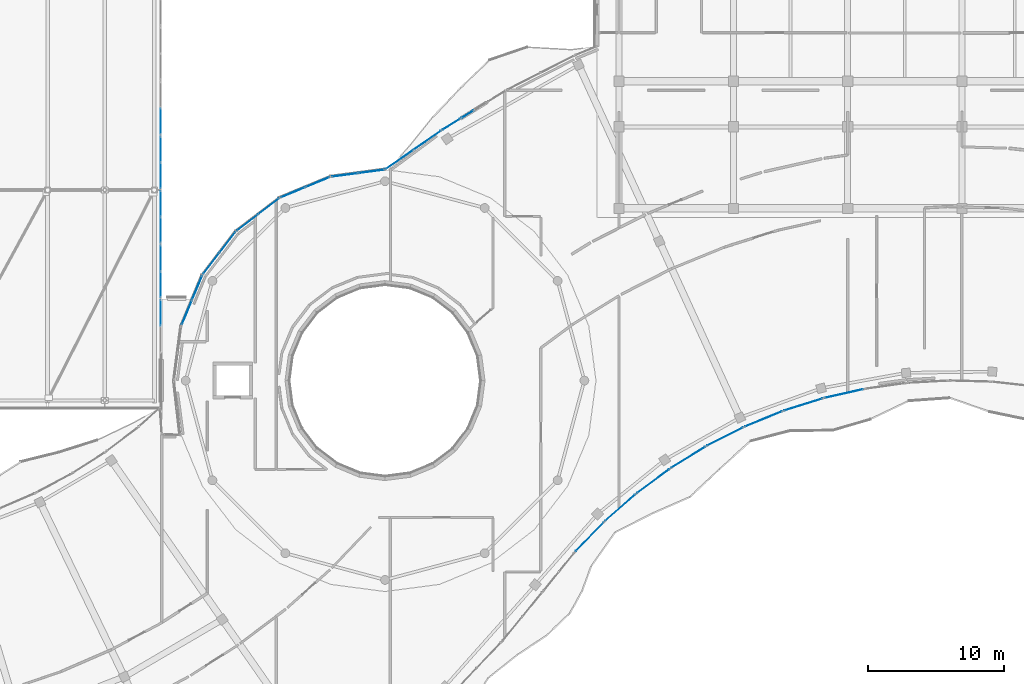
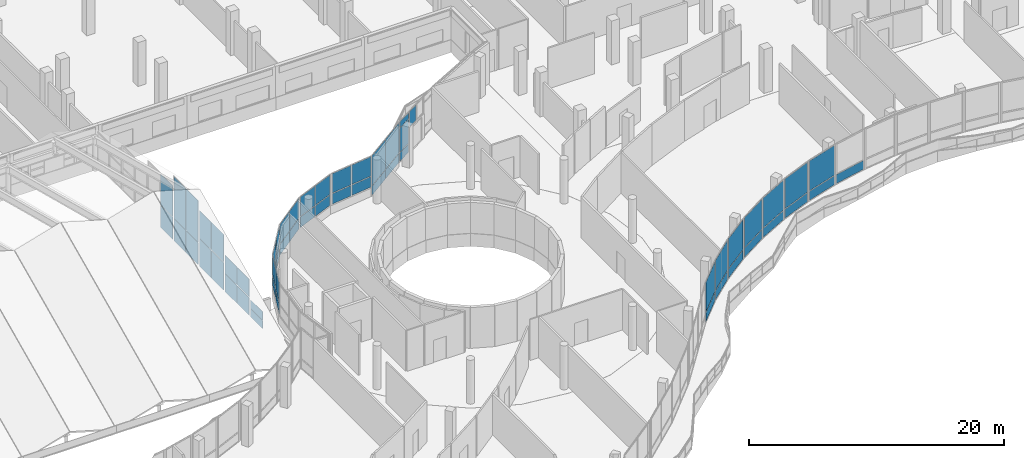
# One storey, part 149 of 184: 59 plates, 21 elements without a shape of their own.
"""IFC4 building model written with IfcOpenShell, lengths in metres."""

from ifc_helpers import new_model, si_unit, direction, frame, origin, origin_2d, place, context, subcontext, project, spatial, rectangle, extrude, material, layer, layer_set, type_object, element, aggregate, save


model = new_model("IFC4")

# Units and contexts
model_context = context("Model", 3, precision=1e-05, world=origin(), true_north=direction((0.0, 1.0)))
body_context = subcontext(model_context, "Body", "Model", "MODEL_VIEW")
ifc_project = project(units=[si_unit("LENGTHUNIT", "METRE"), si_unit("AREAUNIT", "SQUARE_METRE"), si_unit("VOLUMEUNIT", "CUBIC_METRE"), si_unit("PLANEANGLEUNIT", "RADIAN"), si_unit("MASSUNIT", "GRAM", prefix="KILO")], contexts=[model_context])

# Site, building, storey
site_placement = place(None, origin())
site = spatial("IfcSite", under=ifc_project, at=site_placement, CompositionType="ELEMENT")
building_placement = place(site_placement, origin())
building = spatial("IfcBuilding", under=site, at=building_placement, Name="Selatvlak General Hospital", CompositionType="ELEMENT")
storey_placement = place(building_placement, frame((0.0, 0.0, 15.0)))
storey = spatial("IfcBuildingStorey", under=building, at=storey_placement, Name="L03", CompositionType="ELEMENT", Elevation=15.0)

# Curtain wall, plate
ifc_material = material(Name="Solar-control Low-E double glazing", Category="glass")
curtain_wall_type_1 = type_object("IfcCurtainWallType", Name="CW-CW-01", PredefinedType="USERDEFINED", material=ifc_material)
curtain_wall_1_placement = place(storey_placement, origin())
curtain_wall_1 = element("IfcCurtainWall", 1, at=curtain_wall_1_placement, inside=storey, type_object=curtain_wall_type_1, Name="Glazed facade curtain wall CW-L03-0407", ObjectType="UNITISED CURTAIN WALL", PredefinedType="USERDEFINED")
ifc_layer = layer(ifc_material, 0.028076171875, Name="Solar-control Low-E double glazing", Category="glass")
ifc_layer_set = layer_set([ifc_layer], Name="Solar-control Low-E double glazing")
plate_type = type_object("IfcPlateType", Name="CWP-01", PredefinedType="CURTAIN_PANEL", material=ifc_layer_set)
plate_1_placement = place(storey_placement, frame((131.739990234375, 53.0458984375, 0.06494140625), z_axis=(0.0, 0.0, 1.0), x_axis=(-0.975577961684, -0.219653455874, 0.0)))
plate_1 = element("IfcPlate", 2, at=plate_1_placement, type_object=plate_type, Name="CW-01 panel 1.1", PredefinedType="CURTAIN_PANEL", context=body_context, shape_type="SweptSolid", body=[
    extrude(rectangle(XDim=2.902099609375, YDim=0.028076171875, at=origin_2d()), origin(), (0.0, 0.0, 1.0), 0.8525390625),
])
aggregate(curtain_wall_1, [plate_1])

# Curtain wall, plates
curtain_wall_type_2 = type_object("IfcCurtainWallType", Name="CW-CW-02", PredefinedType="USERDEFINED", material=ifc_material)
curtain_wall_2_placement = place(storey_placement, origin())
curtain_wall_2 = element("IfcCurtainWall", 3, at=curtain_wall_2_placement, inside=storey, type_object=curtain_wall_type_2, Name="Glazed facade curtain wall CW-L03-0408", ObjectType="UNITISED CURTAIN WALL", PredefinedType="USERDEFINED")
plate_2_placement = place(storey_placement, frame((128.738525390625, 52.236083984375, 0.06494140625), z_axis=(0.0, 0.0, 1.0), x_axis=(-0.953861500511, -0.300246961422, 0.0)))
plate_2 = element("IfcPlate", 4, at=plate_2_placement, type_object=plate_type, Name="CW-02 panel 1.1", PredefinedType="CURTAIN_PANEL", context=body_context, shape_type="SweptSolid", body=[
    extrude(rectangle(XDim=2.90087890625, YDim=0.028076171875, at=origin_2d()), origin(), (0.0, 0.0, 1.0), 0.8525390625),
])
plate_3_placement = place(storey_placement, frame((128.738525390625, 52.236083984375, 0.982421875), z_axis=(0.0, 0.0, 1.0), x_axis=(-0.953861500511, -0.300246961422, 0.0)))
plate_3 = element("IfcPlate", 5, at=plate_3_placement, type_object=plate_type, Name="CW-02 panel 1.2", PredefinedType="CURTAIN_PANEL", context=body_context, shape_type="SweptSolid", body=[
    extrude(rectangle(XDim=2.90087890625, YDim=0.028076171875, at=origin_2d()), origin(), (0.0, 0.0, 1.0), 2.847412109375),
])
aggregate(curtain_wall_2, [plate_2, plate_3])

curtain_wall_3_placement = place(storey_placement, origin())
curtain_wall_3 = element("IfcCurtainWall", 6, at=curtain_wall_3_placement, inside=storey, type_object=curtain_wall_type_1, Name="Glazed facade curtain wall CW-L03-0409", ObjectType="UNITISED CURTAIN WALL", PredefinedType="USERDEFINED")
plate_4_placement = place(storey_placement, frame((125.8154296875, 51.178955078125, 0.06494140625), z_axis=(0.0, 0.0, 1.0), x_axis=(-0.925814669594, -0.377977773903, 0.0)))
plate_4 = element("IfcPlate", 7, at=plate_4_placement, type_object=plate_type, Name="CW-01 panel 1.1", PredefinedType="CURTAIN_PANEL", context=body_context, shape_type="SweptSolid", body=[
    extrude(rectangle(XDim=2.90185546875, YDim=0.028076171875, at=origin_2d()), origin(), (0.0, 0.0, 1.0), 0.8525390625),
])
plate_5_placement = place(storey_placement, frame((125.8154296875, 51.178955078125, 0.982421875), z_axis=(0.0, 0.0, 1.0), x_axis=(-0.925814669594, -0.377977773903, 0.0)))
plate_5 = element("IfcPlate", 8, at=plate_5_placement, type_object=plate_type, Name="CW-01 panel 1.2", PredefinedType="CURTAIN_PANEL", context=body_context, shape_type="SweptSolid", body=[
    extrude(rectangle(XDim=2.90185546875, YDim=0.028076171875, at=origin_2d()), origin(), (0.0, 0.0, 1.0), 2.847412109375),
])
aggregate(curtain_wall_3, [plate_4, plate_5])

curtain_wall_4_placement = place(storey_placement, origin())
curtain_wall_4 = element("IfcCurtainWall", 9, at=curtain_wall_4_placement, inside=storey, type_object=curtain_wall_type_2, Name="Glazed facade curtain wall CW-L03-0410", ObjectType="UNITISED CURTAIN WALL", PredefinedType="USERDEFINED")
plate_6_placement = place(storey_placement, frame((122.987548828125, 49.882568359375, 0.06494140625), z_axis=(0.0, 0.0, 1.0), x_axis=(-0.89144154077, -0.453135718509, 0.0)))
plate_6 = element("IfcPlate", 10, at=plate_6_placement, type_object=plate_type, Name="CW-02 panel 1.1", PredefinedType="CURTAIN_PANEL", context=body_context, shape_type="SweptSolid", body=[
    extrude(rectangle(XDim=2.904296875, YDim=0.028076171875, at=origin_2d()), origin(), (0.0, 0.0, 1.0), 0.8525390625),
])
plate_7_placement = place(storey_placement, frame((122.987548828125, 49.882568359375, 0.982421875), z_axis=(0.0, 0.0, 1.0), x_axis=(-0.89144154077, -0.453135718509, 0.0)))
plate_7 = element("IfcPlate", 11, at=plate_7_placement, type_object=plate_type, Name="CW-02 panel 1.2", PredefinedType="CURTAIN_PANEL", context=body_context, shape_type="SweptSolid", body=[
    extrude(rectangle(XDim=2.904296875, YDim=0.028076171875, at=origin_2d()), origin(), (0.0, 0.0, 1.0), 2.847412109375),
])
aggregate(curtain_wall_4, [plate_6, plate_7])

curtain_wall_5_placement = place(storey_placement, origin())
curtain_wall_5 = element("IfcCurtainWall", 12, at=curtain_wall_5_placement, inside=storey, type_object=curtain_wall_type_1, Name="Glazed facade curtain wall CW-L03-0411", ObjectType="UNITISED CURTAIN WALL", PredefinedType="USERDEFINED")
plate_8_placement = place(storey_placement, frame((120.277587890625, 48.35693359375, 0.06494140625), z_axis=(0.0, 0.0, 1.0), x_axis=(-0.850454986641, -0.526047826435, 0.0)))
plate_8 = element("IfcPlate", 13, at=plate_8_placement, type_object=plate_type, Name="CW-01 panel 1.1", PredefinedType="CURTAIN_PANEL", context=body_context, shape_type="SweptSolid", body=[
    extrude(rectangle(XDim=2.900146484375, YDim=0.028076171875, at=origin_2d()), origin(), (0.0, 0.0, 1.0), 0.8525390625),
])
plate_9_placement = place(storey_placement, frame((120.277587890625, 48.35693359375, 0.982421875), z_axis=(0.0, 0.0, 1.0), x_axis=(-0.850454986641, -0.526047826435, 0.0)))
plate_9 = element("IfcPlate", 14, at=plate_9_placement, type_object=plate_type, Name="CW-01 panel 1.2", PredefinedType="CURTAIN_PANEL", context=body_context, shape_type="SweptSolid", body=[
    extrude(rectangle(XDim=2.900146484375, YDim=0.028076171875, at=origin_2d()), origin(), (0.0, 0.0, 1.0), 2.847412109375),
])
aggregate(curtain_wall_5, [plate_8, plate_9])

curtain_wall_6_placement = place(storey_placement, origin())
curtain_wall_6 = element("IfcCurtainWall", 15, at=curtain_wall_6_placement, inside=storey, type_object=curtain_wall_type_2, Name="Glazed facade curtain wall CW-L03-0412", ObjectType="UNITISED CURTAIN WALL", PredefinedType="USERDEFINED")
plate_10_placement = place(storey_placement, frame((117.705078125, 46.611572265625, 0.06494140625), z_axis=(0.0, 0.0, 1.0), x_axis=(-0.804018477045, -0.594604312607, 0.0)))
plate_10 = element("IfcPlate", 16, at=plate_10_placement, type_object=plate_type, Name="CW-02 panel 1.1", PredefinedType="CURTAIN_PANEL", context=body_context, shape_type="SweptSolid", body=[
    extrude(rectangle(XDim=2.90234375, YDim=0.028076171875, at=origin_2d()), origin(), (0.0, 0.0, 1.0), 0.8525390625),
])
plate_11_placement = place(storey_placement, frame((117.705078125, 46.611572265625, 0.982421875), z_axis=(0.0, 0.0, 1.0), x_axis=(-0.804018477045, -0.594604312607, 0.0)))
plate_11 = element("IfcPlate", 17, at=plate_11_placement, type_object=plate_type, Name="CW-02 panel 1.2", PredefinedType="CURTAIN_PANEL", context=body_context, shape_type="SweptSolid", body=[
    extrude(rectangle(XDim=2.90234375, YDim=0.028076171875, at=origin_2d()), origin(), (0.0, 0.0, 1.0), 2.847412109375),
])
aggregate(curtain_wall_6, [plate_10, plate_11])

curtain_wall_7_placement = place(storey_placement, origin())
curtain_wall_7 = element("IfcCurtainWall", 18, at=curtain_wall_7_placement, inside=storey, type_object=curtain_wall_type_1, Name="Glazed facade curtain wall CW-L03-0413", ObjectType="UNITISED CURTAIN WALL", PredefinedType="USERDEFINED")
plate_12_placement = place(storey_placement, frame((115.284912109375, 44.659423828125, 0.06494140625), z_axis=(0.0, 0.0, 1.0), x_axis=(-0.752249587647, -0.658878257256, 0.0)))
plate_12 = element("IfcPlate", 19, at=plate_12_placement, type_object=plate_type, Name="CW-01 panel 1.1", PredefinedType="CURTAIN_PANEL", context=body_context, shape_type="SweptSolid", body=[
    extrude(rectangle(XDim=2.90087890625, YDim=0.028076171875, at=origin_2d()), origin(), (0.0, 0.0, 1.0), 0.8525390625),
])
plate_13_placement = place(storey_placement, frame((115.284912109375, 44.659423828125, 0.982421875), z_axis=(0.0, 0.0, 1.0), x_axis=(-0.752249587647, -0.658878257256, 0.0)))
plate_13 = element("IfcPlate", 20, at=plate_13_placement, type_object=plate_type, Name="CW-01 panel 1.2", PredefinedType="CURTAIN_PANEL", context=body_context, shape_type="SweptSolid", body=[
    extrude(rectangle(XDim=2.90087890625, YDim=0.028076171875, at=origin_2d()), origin(), (0.0, 0.0, 1.0), 2.847412109375),
])
aggregate(curtain_wall_7, [plate_12, plate_13])

curtain_wall_8_placement = place(storey_placement, origin())
curtain_wall_8 = element("IfcCurtainWall", 21, at=curtain_wall_8_placement, inside=storey, type_object=curtain_wall_type_2, Name="Glazed facade curtain wall CW-L03-0414", ObjectType="UNITISED CURTAIN WALL", PredefinedType="USERDEFINED")
plate_14_placement = place(storey_placement, frame((113.034912109375, 42.512939453125, 0.06494140625), z_axis=(0.0, 0.0, 1.0), x_axis=(-0.694806241805, -0.719196973261, 0.0)))
plate_14 = element("IfcPlate", 22, at=plate_14_placement, type_object=plate_type, Name="CW-02 panel 1.1", PredefinedType="CURTAIN_PANEL", context=body_context, shape_type="SweptSolid", body=[
    extrude(rectangle(XDim=2.904052734375, YDim=0.028076171875, at=origin_2d()), origin(), (0.0, 0.0, 1.0), 0.8525390625),
])
plate_15_placement = place(storey_placement, frame((113.034912109375, 42.512939453125, 0.982421875), z_axis=(0.0, 0.0, 1.0), x_axis=(-0.694806241805, -0.719196973261, 0.0)))
plate_15 = element("IfcPlate", 23, at=plate_15_placement, type_object=plate_type, Name="CW-02 panel 1.2", PredefinedType="CURTAIN_PANEL", context=body_context, shape_type="SweptSolid", body=[
    extrude(rectangle(XDim=2.904052734375, YDim=0.028076171875, at=origin_2d()), origin(), (0.0, 0.0, 1.0), 2.847412109375),
])
aggregate(curtain_wall_8, [plate_14, plate_15])

curtain_wall_type_3 = type_object("IfcCurtainWallType", Name="CW-CW-05", PredefinedType="USERDEFINED", material=ifc_material)
curtain_wall_9_placement = place(storey_placement, origin())
curtain_wall_9 = element("IfcCurtainWall", 24, at=curtain_wall_9_placement, inside=storey, type_object=curtain_wall_type_3, Name="Glazed facade curtain wall CW-L03-0464", ObjectType="STICK GLAZING WALL", PredefinedType="USERDEFINED")
plate_16_placement = place(storey_placement, frame((83.4384765625, 59.001953125, 0.9150390625), z_axis=(0.0, 0.0, 1.0), x_axis=(0.382537390187, 0.92394001164, 0.0)))
plate_16 = element("IfcPlate", 25, at=plate_16_placement, type_object=plate_type, Name="CW-05 panel 1.1", PredefinedType="CURTAIN_PANEL", context=body_context, shape_type="SweptSolid", body=[
    extrude(rectangle(XDim=1.88525390625, YDim=0.028076171875, at=origin_2d()), origin(), (0.0, 0.0, 1.0), 0.99951171875),
])
plate_17_placement = place(storey_placement, frame((83.4384765625, 59.001953125, 1.9794921875), z_axis=(0.0, 0.0, 1.0), x_axis=(0.382537390187, 0.92394001164, 0.0)))
plate_17 = element("IfcPlate", 26, at=plate_17_placement, type_object=plate_type, Name="CW-05 panel 1.2", PredefinedType="CURTAIN_PANEL", context=body_context, shape_type="SweptSolid", body=[
    extrude(rectangle(XDim=1.88525390625, YDim=0.028076171875, at=origin_2d()), origin(), (0.0, 0.0, 1.0), 1.8505859375),
])
plate_18_placement = place(storey_placement, frame((84.1845703125, 60.803955078125, 0.9150390625), z_axis=(0.0, 0.0, 1.0), x_axis=(0.382537390187, 0.92394001164, 0.0)))
plate_18 = element("IfcPlate", 27, at=plate_18_placement, type_object=plate_type, Name="CW-05 panel 2.1", PredefinedType="CURTAIN_PANEL", context=body_context, shape_type="SweptSolid", body=[
    extrude(rectangle(XDim=1.88525390625, YDim=0.028076171875, at=origin_2d()), origin(), (0.0, 0.0, 1.0), 0.99951171875),
])
plate_19_placement = place(storey_placement, frame((84.1845703125, 60.803955078125, 1.9794921875), z_axis=(0.0, 0.0, 1.0), x_axis=(0.382537390187, 0.92394001164, 0.0)))
plate_19 = element("IfcPlate", 28, at=plate_19_placement, type_object=plate_type, Name="CW-05 panel 2.2", PredefinedType="CURTAIN_PANEL", context=body_context, shape_type="SweptSolid", body=[
    extrude(rectangle(XDim=1.88525390625, YDim=0.028076171875, at=origin_2d()), origin(), (0.0, 0.0, 1.0), 1.8505859375),
])
aggregate(curtain_wall_9, [plate_16, plate_17, plate_18, plate_19])

curtain_wall_type_4 = type_object("IfcCurtainWallType", Name="CW-CW-04", PredefinedType="USERDEFINED", material=ifc_material)
curtain_wall_10_placement = place(storey_placement, origin())
curtain_wall_10 = element("IfcCurtainWall", 29, at=curtain_wall_10_placement, inside=storey, type_object=curtain_wall_type_4, Name="Glazed facade curtain wall CW-L03-0465", ObjectType="STICK GLAZING WALL", PredefinedType="USERDEFINED")
plate_20_placement = place(storey_placement, frame((85.228759765625, 62.600341796875, 0.9150390625), z_axis=(0.0, 0.0, 1.0), x_axis=(0.608918417743, 0.793232853917, 0.0)))
plate_20 = element("IfcPlate", 30, at=plate_20_placement, type_object=plate_type, Name="CW-04 panel 1.1", PredefinedType="CURTAIN_PANEL", context=body_context, shape_type="SweptSolid", body=[
    extrude(rectangle(XDim=1.885498046875, YDim=0.028076171875, at=origin_2d()), origin(), (0.0, 0.0, 1.0), 0.99951171875),
])
plate_21_placement = place(storey_placement, frame((85.228759765625, 62.600341796875, 1.9794921875), z_axis=(0.0, 0.0, 1.0), x_axis=(0.608918417743, 0.793232853917, 0.0)))
plate_21 = element("IfcPlate", 31, at=plate_21_placement, type_object=plate_type, Name="CW-04 panel 1.2", PredefinedType="CURTAIN_PANEL", context=body_context, shape_type="SweptSolid", body=[
    extrude(rectangle(XDim=1.885498046875, YDim=0.028076171875, at=origin_2d()), origin(), (0.0, 0.0, 1.0), 1.8505859375),
])
plate_22_placement = place(storey_placement, frame((86.416259765625, 64.147705078125, 0.9150390625), z_axis=(0.0, 0.0, 1.0), x_axis=(0.608918417743, 0.793232853917, 0.0)))
plate_22 = element("IfcPlate", 32, at=plate_22_placement, type_object=plate_type, Name="CW-04 panel 2.1", PredefinedType="CURTAIN_PANEL", context=body_context, shape_type="SweptSolid", body=[
    extrude(rectangle(XDim=1.885498046875, YDim=0.028076171875, at=origin_2d()), origin(), (0.0, 0.0, 1.0), 0.99951171875),
])
plate_23_placement = place(storey_placement, frame((86.416259765625, 64.147705078125, 1.9794921875), z_axis=(0.0, 0.0, 1.0), x_axis=(0.608918417743, 0.793232853917, 0.0)))
plate_23 = element("IfcPlate", 33, at=plate_23_placement, type_object=plate_type, Name="CW-04 panel 2.2", PredefinedType="CURTAIN_PANEL", context=body_context, shape_type="SweptSolid", body=[
    extrude(rectangle(XDim=1.885498046875, YDim=0.028076171875, at=origin_2d()), origin(), (0.0, 0.0, 1.0), 1.8505859375),
])
aggregate(curtain_wall_10, [plate_20, plate_21, plate_22, plate_23])

curtain_wall_11_placement = place(storey_placement, origin())
curtain_wall_11 = element("IfcCurtainWall", 34, at=curtain_wall_11_placement, inside=storey, type_object=curtain_wall_type_3, Name="Glazed facade curtain wall CW-L03-0466", ObjectType="STICK GLAZING WALL", PredefinedType="USERDEFINED")
plate_24_placement = place(storey_placement, frame((87.890380859375, 65.611572265625, 0.9150390625), z_axis=(0.0, 0.0, 1.0), x_axis=(0.793232853917, 0.608918417743, 0.0)))
plate_24 = element("IfcPlate", 35, at=plate_24_placement, type_object=plate_type, Name="CW-05 panel 1.1", PredefinedType="CURTAIN_PANEL", context=body_context, shape_type="SweptSolid", body=[
    extrude(rectangle(XDim=1.885498046875, YDim=0.028076171875, at=origin_2d()), origin(), (0.0, 0.0, 1.0), 0.99951171875),
])
plate_25_placement = place(storey_placement, frame((87.890380859375, 65.611572265625, 1.9794921875), z_axis=(0.0, 0.0, 1.0), x_axis=(0.793232853917, 0.608918417743, 0.0)))
plate_25 = element("IfcPlate", 36, at=plate_25_placement, type_object=plate_type, Name="CW-05 panel 1.2", PredefinedType="CURTAIN_PANEL", context=body_context, shape_type="SweptSolid", body=[
    extrude(rectangle(XDim=1.885498046875, YDim=0.028076171875, at=origin_2d()), origin(), (0.0, 0.0, 1.0), 1.8505859375),
])
plate_26_placement = place(storey_placement, frame((89.4375, 66.79931640625, 0.9150390625), z_axis=(0.0, 0.0, 1.0), x_axis=(0.793232853917, 0.608918417743, 0.0)))
plate_26 = element("IfcPlate", 37, at=plate_26_placement, type_object=plate_type, Name="CW-05 panel 2.1", PredefinedType="CURTAIN_PANEL", context=body_context, shape_type="SweptSolid", body=[
    extrude(rectangle(XDim=1.885498046875, YDim=0.028076171875, at=origin_2d()), origin(), (0.0, 0.0, 1.0), 0.99951171875),
])
plate_27_placement = place(storey_placement, frame((89.4375, 66.79931640625, 1.9794921875), z_axis=(0.0, 0.0, 1.0), x_axis=(0.793232853917, 0.608918417743, 0.0)))
plate_27 = element("IfcPlate", 38, at=plate_27_placement, type_object=plate_type, Name="CW-05 panel 2.2", PredefinedType="CURTAIN_PANEL", context=body_context, shape_type="SweptSolid", body=[
    extrude(rectangle(XDim=1.885498046875, YDim=0.028076171875, at=origin_2d()), origin(), (0.0, 0.0, 1.0), 1.8505859375),
])
aggregate(curtain_wall_11, [plate_24, plate_25, plate_26, plate_27])

curtain_wall_12_placement = place(storey_placement, origin())
curtain_wall_12 = element("IfcCurtainWall", 39, at=curtain_wall_12_placement, inside=storey, type_object=curtain_wall_type_4, Name="Glazed facade curtain wall CW-L03-0467", ObjectType="STICK GLAZING WALL", PredefinedType="USERDEFINED")
plate_28_placement = place(storey_placement, frame((91.239990234375, 67.832763671875, 0.9150390625), z_axis=(0.0, 0.0, 1.0), x_axis=(0.923850868847, 0.382752625243, 0.0)))
plate_28 = element("IfcPlate", 40, at=plate_28_placement, type_object=plate_type, Name="CW-04 panel 1.1", PredefinedType="CURTAIN_PANEL", context=body_context, shape_type="SweptSolid", body=[
    extrude(rectangle(XDim=1.885498046875, YDim=0.028076171875, at=origin_2d()), origin(), (0.0, 0.0, 1.0), 0.99951171875),
])
plate_29_placement = place(storey_placement, frame((91.239990234375, 67.832763671875, 1.9794921875), z_axis=(0.0, 0.0, 1.0), x_axis=(0.923850868847, 0.382752625243, 0.0)))
plate_29 = element("IfcPlate", 41, at=plate_29_placement, type_object=plate_type, Name="CW-04 panel 1.2", PredefinedType="CURTAIN_PANEL", context=body_context, shape_type="SweptSolid", body=[
    extrude(rectangle(XDim=1.885498046875, YDim=0.028076171875, at=origin_2d()), origin(), (0.0, 0.0, 1.0), 1.8505859375),
])
plate_30_placement = place(storey_placement, frame((93.0419921875, 68.579345703125, 0.9150390625), z_axis=(0.0, 0.0, 1.0), x_axis=(0.923850868847, 0.382752625243, 0.0)))
plate_30 = element("IfcPlate", 42, at=plate_30_placement, type_object=plate_type, Name="CW-04 panel 2.1", PredefinedType="CURTAIN_PANEL", context=body_context, shape_type="SweptSolid", body=[
    extrude(rectangle(XDim=1.885498046875, YDim=0.028076171875, at=origin_2d()), origin(), (0.0, 0.0, 1.0), 0.99951171875),
])
plate_31_placement = place(storey_placement, frame((93.0419921875, 68.579345703125, 1.9794921875), z_axis=(0.0, 0.0, 1.0), x_axis=(0.923850868847, 0.382752625243, 0.0)))
plate_31 = element("IfcPlate", 43, at=plate_31_placement, type_object=plate_type, Name="CW-04 panel 2.2", PredefinedType="CURTAIN_PANEL", context=body_context, shape_type="SweptSolid", body=[
    extrude(rectangle(XDim=1.885498046875, YDim=0.028076171875, at=origin_2d()), origin(), (0.0, 0.0, 1.0), 1.8505859375),
])
aggregate(curtain_wall_12, [plate_28, plate_29, plate_30, plate_31])

curtain_wall_13_placement = place(storey_placement, origin())
curtain_wall_13 = element("IfcCurtainWall", 44, at=curtain_wall_13_placement, inside=storey, type_object=curtain_wall_type_3, Name="Glazed facade curtain wall CW-L03-0468", ObjectType="STICK GLAZING WALL", PredefinedType="USERDEFINED")
plate_32_placement = place(storey_placement, frame((95.051025390625, 69.111572265625, 0.9150390625), z_axis=(0.0, 0.0, 1.0), x_axis=(0.991433685916, 0.130611050186, 0.0)))
plate_32 = element("IfcPlate", 45, at=plate_32_placement, type_object=plate_type, Name="CW-05 panel 1.1", PredefinedType="CURTAIN_PANEL", context=body_context, shape_type="SweptSolid", body=[
    extrude(rectangle(XDim=1.885498046875, YDim=0.028076171875, at=origin_2d()), origin(), (0.0, 0.0, 1.0), 0.99951171875),
])
plate_33_placement = place(storey_placement, frame((95.051025390625, 69.111572265625, 1.9794921875), z_axis=(0.0, 0.0, 1.0), x_axis=(0.991433685916, 0.130611050186, 0.0)))
plate_33 = element("IfcPlate", 46, at=plate_33_placement, type_object=plate_type, Name="CW-05 panel 1.2", PredefinedType="CURTAIN_PANEL", context=body_context, shape_type="SweptSolid", body=[
    extrude(rectangle(XDim=1.885498046875, YDim=0.028076171875, at=origin_2d()), origin(), (0.0, 0.0, 1.0), 1.8505859375),
])
plate_34_placement = place(storey_placement, frame((96.98486328125, 69.366455078125, 0.9150390625), z_axis=(0.0, 0.0, 1.0), x_axis=(0.991433685916, 0.130611050186, 0.0)))
plate_34 = element("IfcPlate", 47, at=plate_34_placement, type_object=plate_type, Name="CW-05 panel 2.1", PredefinedType="CURTAIN_PANEL", context=body_context, shape_type="SweptSolid", body=[
    extrude(rectangle(XDim=1.885498046875, YDim=0.028076171875, at=origin_2d()), origin(), (0.0, 0.0, 1.0), 0.99951171875),
])
plate_35_placement = place(storey_placement, frame((96.98486328125, 69.366455078125, 1.9794921875), z_axis=(0.0, 0.0, 1.0), x_axis=(0.991433685916, 0.130611050186, 0.0)))
plate_35 = element("IfcPlate", 48, at=plate_35_placement, type_object=plate_type, Name="CW-05 panel 2.2", PredefinedType="CURTAIN_PANEL", context=body_context, shape_type="SweptSolid", body=[
    extrude(rectangle(XDim=1.885498046875, YDim=0.028076171875, at=origin_2d()), origin(), (0.0, 0.0, 1.0), 1.8505859375),
])
aggregate(curtain_wall_13, [plate_32, plate_33, plate_34, plate_35])

curtain_wall_14_placement = place(storey_placement, origin())
curtain_wall_14 = element("IfcCurtainWall", 49, at=curtain_wall_14_placement, inside=storey, type_object=curtain_wall_type_1, Name="Glazed facade curtain wall CW-L03-0469", ObjectType="UNITISED CURTAIN WALL", PredefinedType="USERDEFINED")
plate_36_placement = place(storey_placement, frame((99.056396484375, 70.236328125, 0.06494140625), z_axis=(0.0, 0.0, 1.0), x_axis=(0.820872775723, 0.571111097841, 0.0)))
plate_36 = element("IfcPlate", 50, at=plate_36_placement, type_object=plate_type, Name="CW-01 panel 1.1", PredefinedType="CURTAIN_PANEL", context=body_context, shape_type="SweptSolid", body=[
    extrude(rectangle(XDim=2.4169921875, YDim=0.028076171875, at=origin_2d()), origin(), (0.0, 0.0, 1.0), 0.8525390625),
])
plate_37_placement = place(storey_placement, frame((99.056396484375, 70.236328125, 0.982421875), z_axis=(0.0, 0.0, 1.0), x_axis=(0.820872775723, 0.571111097841, 0.0)))
plate_37 = element("IfcPlate", 51, at=plate_37_placement, type_object=plate_type, Name="CW-01 panel 1.2", PredefinedType="CURTAIN_PANEL", context=body_context, shape_type="SweptSolid", body=[
    extrude(rectangle(XDim=2.4169921875, YDim=0.028076171875, at=origin_2d()), origin(), (0.0, 0.0, 1.0), 2.847412109375),
])
plate_38_placement = place(storey_placement, frame((101.09375, 71.65380859375, 0.06494140625), z_axis=(0.0, 0.0, 1.0), x_axis=(0.820872775723, 0.571111097841, 0.0)))
plate_38 = element("IfcPlate", 52, at=plate_38_placement, type_object=plate_type, Name="CW-01 panel 2.1", PredefinedType="CURTAIN_PANEL", context=body_context, shape_type="SweptSolid", body=[
    extrude(rectangle(XDim=2.4169921875, YDim=0.028076171875, at=origin_2d()), origin(), (0.0, 0.0, 1.0), 0.8525390625),
])
plate_39_placement = place(storey_placement, frame((101.09375, 71.65380859375, 0.982421875), z_axis=(0.0, 0.0, 1.0), x_axis=(0.820872775723, 0.571111097841, 0.0)))
plate_39 = element("IfcPlate", 53, at=plate_39_placement, type_object=plate_type, Name="CW-01 panel 2.2", PredefinedType="CURTAIN_PANEL", context=body_context, shape_type="SweptSolid", body=[
    extrude(rectangle(XDim=2.4169921875, YDim=0.028076171875, at=origin_2d()), origin(), (0.0, 0.0, 1.0), 2.847412109375),
])
aggregate(curtain_wall_14, [plate_36, plate_37, plate_38, plate_39])

# Curtain wall, plate
curtain_wall_15_placement = place(storey_placement, origin())
curtain_wall_15 = element("IfcCurtainWall", 54, at=curtain_wall_15_placement, inside=storey, type_object=curtain_wall_type_2, Name="Glazed facade curtain wall CW-L03-0470", ObjectType="UNITISED CURTAIN WALL", PredefinedType="USERDEFINED")
plate_40_placement = place(storey_placement, frame((104.0654296875, 73.572998046875, 2.384765625), z_axis=(0.0, 0.0, 1.0), x_axis=(0.850415359562, 0.526111885649, 0.0)))
plate_40 = element("IfcPlate", 55, at=plate_40_placement, type_object=plate_type, Name="CW-02 panel 1.1", PredefinedType="CURTAIN_PANEL", context=body_context, shape_type="SweptSolid", body=[
    extrude(rectangle(XDim=1.037353515625, YDim=0.028076171875, at=origin_2d()), origin(), (0.0, 0.0, 1.0), 1.445068359375),
])
aggregate(curtain_wall_15, [plate_40])

# Curtain wall, plates
curtain_wall_16_placement = place(storey_placement, origin())
curtain_wall_16 = element("IfcCurtainWall", 56, at=curtain_wall_16_placement, inside=storey, type_object=curtain_wall_type_1, Name="Glazed facade curtain wall CW-L03-0471", ObjectType="UNITISED CURTAIN WALL", PredefinedType="USERDEFINED")
plate_41_placement = place(storey_placement, frame((102.875, 72.8369140625, 0.06494140625), z_axis=(0.0, 0.0, 1.0), x_axis=(0.850563504569, 0.525872346387, 0.0)))
plate_41 = element("IfcPlate", 57, at=plate_41_placement, type_object=plate_type, Name="CW-01 panel 1.1", PredefinedType="CURTAIN_PANEL", context=body_context, shape_type="SweptSolid", body=[
    extrude(rectangle(XDim=1.440673828125, YDim=0.028076171875, at=origin_2d()), origin(), (0.0, 0.0, 1.0), 0.802490234375),
])
plate_42_placement = place(storey_placement, frame((102.875, 72.8369140625, 0.9326171875), z_axis=(0.0, 0.0, 1.0), x_axis=(0.850563504569, 0.525872346387, 0.0)))
plate_42 = element("IfcPlate", 58, at=plate_42_placement, type_object=plate_type, Name="CW-01 panel 1.2", PredefinedType="CURTAIN_PANEL", context=body_context, shape_type="SweptSolid", body=[
    extrude(rectangle(XDim=1.440673828125, YDim=0.028076171875, at=origin_2d()), origin(), (0.0, 0.0, 1.0), 2.280029296875),
])
plate_43_placement = place(storey_placement, frame((102.875, 72.8369140625, 3.27734375), z_axis=(0.0, 0.0, 1.0), x_axis=(0.850563504569, 0.525872346387, 0.0)))
plate_43 = element("IfcPlate", 59, at=plate_43_placement, type_object=plate_type, Name="CW-01 panel 1.3", PredefinedType="CURTAIN_PANEL", context=body_context, shape_type="SweptSolid", body=[
    extrude(rectangle(XDim=1.440673828125, YDim=0.028076171875, at=origin_2d()), origin(), (0.0, 0.0, 1.0), 0.552490234375),
])
aggregate(curtain_wall_16, [plate_41, plate_42, plate_43])

curtain_wall_17_placement = place(storey_placement, origin())
curtain_wall_17 = element("IfcCurtainWall", 60, at=curtain_wall_17_placement, inside=storey, type_object=curtain_wall_type_3, Name="Glazed facade curtain wall CW-L03-0730", ObjectType="STICK GLAZING WALL", PredefinedType="USERDEFINED")
plate_44_placement = place(storey_placement, frame((81.52001953125, 58.976318359375, 0.06494140625), z_axis=(0.0, 0.0, 1.0), x_axis=(0.0, 1.0, 0.0)))
plate_44 = element("IfcPlate", 61, at=plate_44_placement, type_object=plate_type, Name="CW-05 panel 2.1", PredefinedType="CURTAIN_PANEL", context=body_context, shape_type="SweptSolid", body=[
    extrude(rectangle(XDim=1.887451171875, YDim=0.028076171875, at=origin_2d()), origin(), (0.0, 0.0, 1.0), 0.777587890625),
])
plate_45_placement = place(storey_placement, frame((81.52001953125, 58.976318359375, 0.9072265625), z_axis=(0.0, 0.0, 1.0), x_axis=(0.0, 1.0, 0.0)))
plate_45 = element("IfcPlate", 62, at=plate_45_placement, type_object=plate_type, Name="CW-05 panel 2.2", PredefinedType="CURTAIN_PANEL", context=body_context, shape_type="SweptSolid", body=[
    extrude(rectangle(XDim=1.887451171875, YDim=0.028076171875, at=origin_2d()), origin(), (0.0, 0.0, 1.0), 0.777587890625),
])
aggregate(curtain_wall_17, [plate_44, plate_45])

curtain_wall_18_placement = place(storey_placement, origin())
curtain_wall_18 = element("IfcCurtainWall", 63, at=curtain_wall_18_placement, inside=storey, type_object=curtain_wall_type_3, Name="Glazed facade curtain wall CW-L03-0731", ObjectType="STICK GLAZING WALL", PredefinedType="USERDEFINED")
plate_46_placement = place(storey_placement, frame((81.52001953125, 61.061279296875, 0.06494140625), z_axis=(0.0, 0.0, 1.0), x_axis=(0.0, 1.0, 0.0)))
plate_46 = element("IfcPlate", 64, at=plate_46_placement, type_object=plate_type, Name="CW-05 panel 1.1", PredefinedType="CURTAIN_PANEL", context=body_context, shape_type="SweptSolid", body=[
    extrude(rectangle(XDim=1.862548828125, YDim=0.028076171875, at=origin_2d()), origin(), (0.0, 0.0, 1.0), 1.702392578125),
])
plate_47_placement = place(storey_placement, frame((81.52001953125, 61.061279296875, 1.83251953125), z_axis=(0.0, 0.0, 1.0), x_axis=(0.0, 1.0, 0.0)))
plate_47 = element("IfcPlate", 65, at=plate_47_placement, type_object=plate_type, Name="CW-05 panel 1.2", PredefinedType="CURTAIN_PANEL", context=body_context, shape_type="SweptSolid", body=[
    extrude(rectangle(XDim=1.862548828125, YDim=0.028076171875, at=origin_2d()), origin(), (0.0, 0.0, 1.0), 1.702392578125),
])
plate_48_placement = place(storey_placement, frame((81.52001953125, 62.98876953125, 0.06494140625), z_axis=(0.0, 0.0, 1.0), x_axis=(0.0, 1.0, 0.0)))
plate_48 = element("IfcPlate", 66, at=plate_48_placement, type_object=plate_type, Name="CW-05 panel 2.1", PredefinedType="CURTAIN_PANEL", context=body_context, shape_type="SweptSolid", body=[
    extrude(rectangle(XDim=1.862548828125, YDim=0.028076171875, at=origin_2d()), origin(), (0.0, 0.0, 1.0), 1.702392578125),
])
plate_49_placement = place(storey_placement, frame((81.52001953125, 62.98876953125, 1.83251953125), z_axis=(0.0, 0.0, 1.0), x_axis=(0.0, 1.0, 0.0)))
plate_49 = element("IfcPlate", 67, at=plate_49_placement, type_object=plate_type, Name="CW-05 panel 2.2", PredefinedType="CURTAIN_PANEL", context=body_context, shape_type="SweptSolid", body=[
    extrude(rectangle(XDim=1.862548828125, YDim=0.028076171875, at=origin_2d()), origin(), (0.0, 0.0, 1.0), 1.702392578125),
])
aggregate(curtain_wall_18, [plate_46, plate_47, plate_48, plate_49])

curtain_wall_19_placement = place(storey_placement, origin())
curtain_wall_19 = element("IfcCurtainWall", 68, at=curtain_wall_19_placement, inside=storey, type_object=curtain_wall_type_3, Name="Glazed facade curtain wall CW-L03-0732", ObjectType="STICK GLAZING WALL", PredefinedType="USERDEFINED")
plate_50_placement = place(storey_placement, frame((81.52001953125, 65.061279296875, 0.06494140625), z_axis=(0.0, 0.0, 1.0), x_axis=(0.0, 1.0, 0.0)))
plate_50 = element("IfcPlate", 69, at=plate_50_placement, type_object=plate_type, Name="CW-05 panel 1.1", PredefinedType="CURTAIN_PANEL", context=body_context, shape_type="SweptSolid", body=[
    extrude(rectangle(XDim=1.862548828125, YDim=0.028076171875, at=origin_2d()), origin(), (0.0, 0.0, 1.0), 2.62744140625),
])
plate_51_placement = place(storey_placement, frame((81.52001953125, 65.061279296875, 2.757568359375), z_axis=(0.0, 0.0, 1.0), x_axis=(0.0, 1.0, 0.0)))
plate_51 = element("IfcPlate", 70, at=plate_51_placement, type_object=plate_type, Name="CW-05 panel 1.2", PredefinedType="CURTAIN_PANEL", context=body_context, shape_type="SweptSolid", body=[
    extrude(rectangle(XDim=1.862548828125, YDim=0.028076171875, at=origin_2d()), origin(), (0.0, 0.0, 1.0), 2.62744140625),
])
plate_52_placement = place(storey_placement, frame((81.52001953125, 66.98876953125, 0.06494140625), z_axis=(0.0, 0.0, 1.0), x_axis=(0.0, 1.0, 0.0)))
plate_52 = element("IfcPlate", 71, at=plate_52_placement, type_object=plate_type, Name="CW-05 panel 2.1", PredefinedType="CURTAIN_PANEL", context=body_context, shape_type="SweptSolid", body=[
    extrude(rectangle(XDim=1.862548828125, YDim=0.028076171875, at=origin_2d()), origin(), (0.0, 0.0, 1.0), 2.62744140625),
])
plate_53_placement = place(storey_placement, frame((81.52001953125, 66.98876953125, 2.757568359375), z_axis=(0.0, 0.0, 1.0), x_axis=(0.0, 1.0, 0.0)))
plate_53 = element("IfcPlate", 72, at=plate_53_placement, type_object=plate_type, Name="CW-05 panel 2.2", PredefinedType="CURTAIN_PANEL", context=body_context, shape_type="SweptSolid", body=[
    extrude(rectangle(XDim=1.862548828125, YDim=0.028076171875, at=origin_2d()), origin(), (0.0, 0.0, 1.0), 2.62744140625),
])
aggregate(curtain_wall_19, [plate_50, plate_51, plate_52, plate_53])

curtain_wall_20_placement = place(storey_placement, origin())
curtain_wall_20 = element("IfcCurtainWall", 73, at=curtain_wall_20_placement, inside=storey, type_object=curtain_wall_type_3, Name="Glazed facade curtain wall CW-L03-0733", ObjectType="STICK GLAZING WALL", PredefinedType="USERDEFINED")
plate_54_placement = place(storey_placement, frame((81.52001953125, 69.061279296875, 0.06494140625), z_axis=(0.0, 0.0, 1.0), x_axis=(0.0, 1.0, 0.0)))
plate_54 = element("IfcPlate", 74, at=plate_54_placement, type_object=plate_type, Name="CW-05 panel 1.1", PredefinedType="CURTAIN_PANEL", context=body_context, shape_type="SweptSolid", body=[
    extrude(rectangle(XDim=1.862548828125, YDim=0.028076171875, at=origin_2d()), origin(), (0.0, 0.0, 1.0), 2.1025390625),
])
plate_55_placement = place(storey_placement, frame((81.52001953125, 69.061279296875, 2.232421875), z_axis=(0.0, 0.0, 1.0), x_axis=(0.0, 1.0, 0.0)))
plate_55 = element("IfcPlate", 75, at=plate_55_placement, type_object=plate_type, Name="CW-05 panel 1.2", PredefinedType="CURTAIN_PANEL", context=body_context, shape_type="SweptSolid", body=[
    extrude(rectangle(XDim=1.862548828125, YDim=0.028076171875, at=origin_2d()), origin(), (0.0, 0.0, 1.0), 3.952392578125),
])
plate_56_placement = place(storey_placement, frame((81.52001953125, 70.98876953125, 0.06494140625), z_axis=(0.0, 0.0, 1.0), x_axis=(0.0, 1.0, 0.0)))
plate_56 = element("IfcPlate", 76, at=plate_56_placement, type_object=plate_type, Name="CW-05 panel 2.1", PredefinedType="CURTAIN_PANEL", context=body_context, shape_type="SweptSolid", body=[
    extrude(rectangle(XDim=1.862548828125, YDim=0.028076171875, at=origin_2d()), origin(), (0.0, 0.0, 1.0), 2.1025390625),
])
plate_57_placement = place(storey_placement, frame((81.52001953125, 70.98876953125, 2.232421875), z_axis=(0.0, 0.0, 1.0), x_axis=(0.0, 1.0, 0.0)))
plate_57 = element("IfcPlate", 77, at=plate_57_placement, type_object=plate_type, Name="CW-05 panel 2.2", PredefinedType="CURTAIN_PANEL", context=body_context, shape_type="SweptSolid", body=[
    extrude(rectangle(XDim=1.862548828125, YDim=0.028076171875, at=origin_2d()), origin(), (0.0, 0.0, 1.0), 3.952392578125),
])
aggregate(curtain_wall_20, [plate_54, plate_55, plate_56, plate_57])

curtain_wall_21_placement = place(storey_placement, origin())
curtain_wall_21 = element("IfcCurtainWall", 78, at=curtain_wall_21_placement, inside=storey, type_object=curtain_wall_type_3, Name="Glazed facade curtain wall CW-L03-0734", ObjectType="STICK GLAZING WALL", PredefinedType="USERDEFINED")
plate_58_placement = place(storey_placement, frame((81.52001953125, 73.061279296875, 0.06494140625), z_axis=(0.0, 0.0, 1.0), x_axis=(0.0, 1.0, 0.0)))
plate_58 = element("IfcPlate", 79, at=plate_58_placement, type_object=plate_type, Name="CW-05 panel 1.1", PredefinedType="CURTAIN_PANEL", context=body_context, shape_type="SweptSolid", body=[
    extrude(rectangle(XDim=1.862548828125, YDim=0.028076171875, at=origin_2d()), origin(), (0.0, 0.0, 1.0), 2.1025390625),
])
plate_59_placement = place(storey_placement, frame((81.52001953125, 73.061279296875, 2.232421875), z_axis=(0.0, 0.0, 1.0), x_axis=(0.0, 1.0, 0.0)))
plate_59 = element("IfcPlate", 80, at=plate_59_placement, type_object=plate_type, Name="CW-05 panel 1.2", PredefinedType="CURTAIN_PANEL", context=body_context, shape_type="SweptSolid", body=[
    extrude(rectangle(XDim=1.862548828125, YDim=0.028076171875, at=origin_2d()), origin(), (0.0, 0.0, 1.0), 2.952392578125),
])
aggregate(curtain_wall_21, [plate_58, plate_59])

save(model, "model.ifc")
